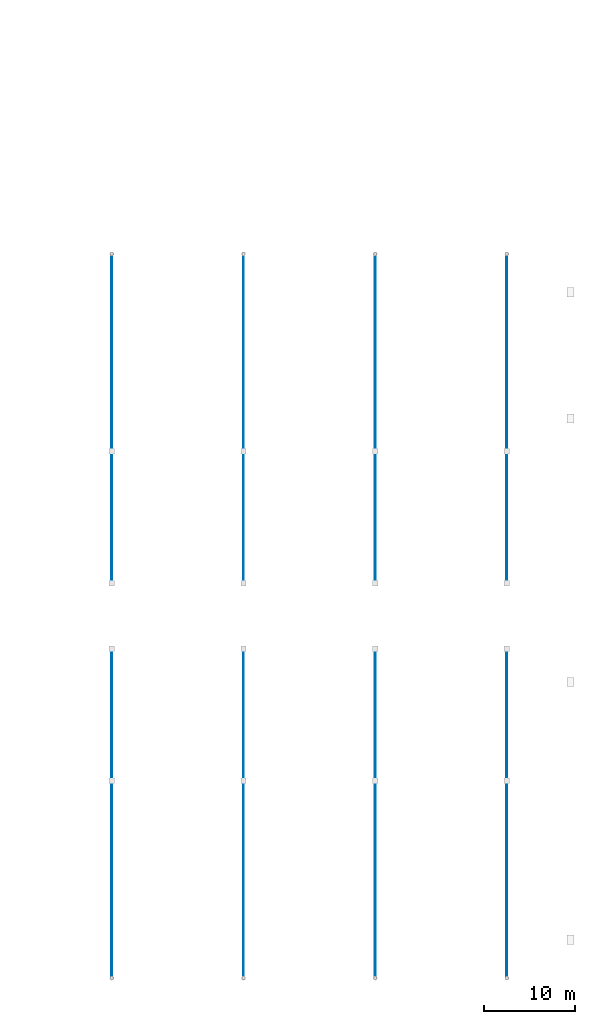
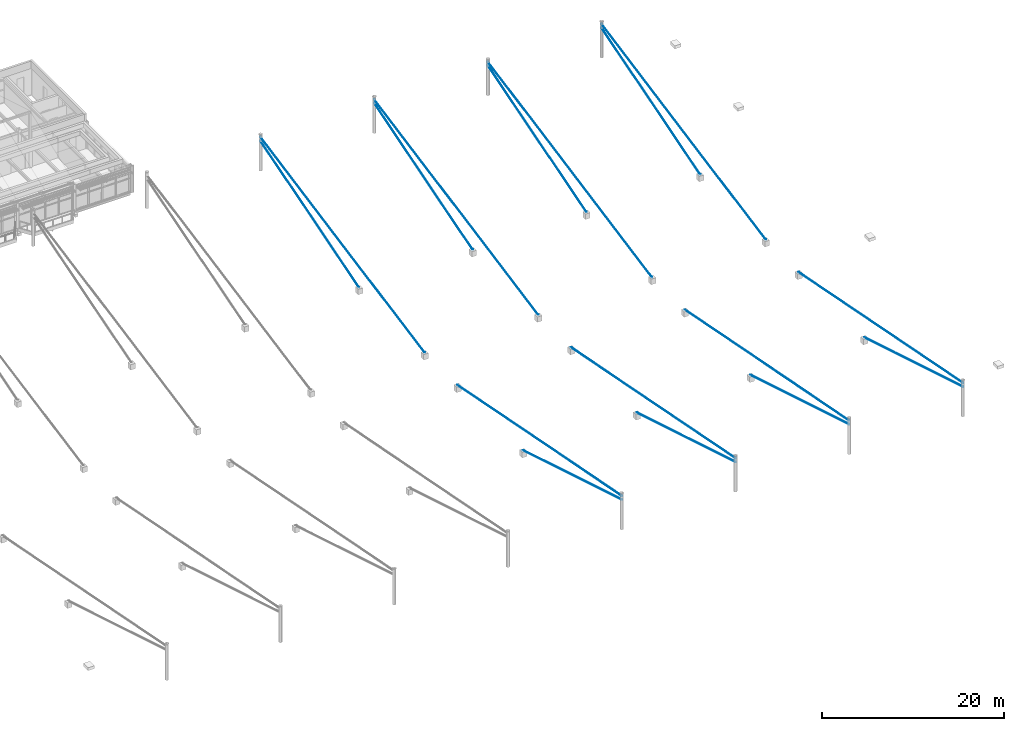
# One storey, part 39 of 68: 16 members.
"""IFC4 building model written with IfcOpenShell, lengths in metres."""

from ifc_helpers import new_model, si_unit, direction, frame, origin, origin_2d, place, context, subcontext, project, spatial, circle, extrude, material, material_profile, profile_set, type_object, element, save


model = new_model("IFC4")

# Units and contexts
model_context = context("Model", 3, precision=1e-05, world=origin(), true_north=direction((0.0, 1.0)))
body_context = subcontext(model_context, "Body", "Model", "MODEL_VIEW")
ifc_project = project(units=[si_unit("LENGTHUNIT", "METRE"), si_unit("AREAUNIT", "SQUARE_METRE"), si_unit("VOLUMEUNIT", "CUBIC_METRE"), si_unit("PLANEANGLEUNIT", "RADIAN"), si_unit("MASSUNIT", "GRAM", prefix="KILO")], contexts=[model_context])

# Site, building, storey
site_placement = place(None, origin())
site = spatial("IfcSite", under=ifc_project, at=site_placement, CompositionType="ELEMENT")
building_placement = place(site_placement, origin())
building = spatial("IfcBuilding", under=site, at=building_placement, Name="Kupolbacken Congress Centre", CompositionType="ELEMENT")
storey_placement = place(building_placement, frame((0.0, 0.0, 25.199951171875)))
storey = spatial("IfcBuildingStorey", under=building, at=storey_placement, Name="L07", CompositionType="ELEMENT", Elevation=25.199951171875)

# Members
ifc_material = material(Name="Steel S355", Category="steel")
ifc_material_profile = material_profile(ifc_material, circle(Radius=0.0400390625, at=origin_2d()), Name="RB 80")
ifc_profile_set = profile_set([ifc_material_profile], Name="Steel S355")
member_type = type_object("IfcMemberType", Name="M23 roof stay round bar 80", PredefinedType="BRACE", material=ifc_profile_set)
member_1_placement = place(storey_placement, frame((151.199951171875, 39.60009765625, 3.900146484375), z_axis=(0.0, 0.957458846603, -0.288569847803), x_axis=(-1.0, 0.0, 0.0)))
element("IfcMember", 1, at=member_1_placement, inside=storey, type_object=member_type, Name="Roof stay M5S.1", PredefinedType="BRACE", context=body_context, shape_type="SweptSolid", body=[
    extrude(circle(Radius=0.0400390625, at=origin_2d()), origin(), (0.0, 0.0, 1.0), 22.5595703125),
])
member_2_placement = place(storey_placement, frame((151.199951171875, 39.60009765625, 4.400146484375), z_axis=(0.0, 0.981564219427, -0.191132632327), x_axis=(-1.0, 0.0, 0.0)))
element("IfcMember", 2, at=member_2_placement, inside=storey, type_object=member_type, Name="Roof stay M5S.2", PredefinedType="BRACE", context=body_context, shape_type="SweptSolid", body=[
    extrude(circle(Radius=0.0400390625, at=origin_2d()), origin(), (0.0, 0.0, 1.0), 36.67626953125),
])
member_3_placement = place(storey_placement, frame((165.60009765625, 39.60009765625, 3.900146484375), z_axis=(0.0, 0.957458846603, -0.288569847803), x_axis=(-1.0, 0.0, 0.0)))
element("IfcMember", 3, at=member_3_placement, inside=storey, type_object=member_type, Name="Roof stay M6S.1", PredefinedType="BRACE", context=body_context, shape_type="SweptSolid", body=[
    extrude(circle(Radius=0.0400390625, at=origin_2d()), origin(), (0.0, 0.0, 1.0), 22.5595703125),
])
member_4_placement = place(storey_placement, frame((165.60009765625, 39.60009765625, 4.400146484375), z_axis=(0.0, 0.981564219427, -0.191132632327), x_axis=(-1.0, 0.0, 0.0)))
element("IfcMember", 4, at=member_4_placement, inside=storey, type_object=member_type, Name="Roof stay M6S.2", PredefinedType="BRACE", context=body_context, shape_type="SweptSolid", body=[
    extrude(circle(Radius=0.0400390625, at=origin_2d()), origin(), (0.0, 0.0, 1.0), 36.67626953125),
])
member_5_placement = place(storey_placement, frame((180.0, 39.60009765625, 3.900146484375), z_axis=(0.0, 0.957458846603, -0.288569847803), x_axis=(-1.0, 0.0, 0.0)))
element("IfcMember", 5, at=member_5_placement, inside=storey, type_object=member_type, Name="Roof stay M7S.1", PredefinedType="BRACE", context=body_context, shape_type="SweptSolid", body=[
    extrude(circle(Radius=0.0400390625, at=origin_2d()), origin(), (0.0, 0.0, 1.0), 22.5595703125),
])
member_6_placement = place(storey_placement, frame((180.0, 39.60009765625, 4.400146484375), z_axis=(0.0, 0.981564219427, -0.191132632327), x_axis=(-1.0, 0.0, 0.0)))
element("IfcMember", 6, at=member_6_placement, inside=storey, type_object=member_type, Name="Roof stay M7S.2", PredefinedType="BRACE", context=body_context, shape_type="SweptSolid", body=[
    extrude(circle(Radius=0.0400390625, at=origin_2d()), origin(), (0.0, 0.0, 1.0), 36.67626953125),
])
member_7_placement = place(storey_placement, frame((194.39990234375, 39.60009765625, 3.900146484375), z_axis=(0.0, 0.957458846603, -0.288569847803), x_axis=(-1.0, 0.0, 0.0)))
element("IfcMember", 7, at=member_7_placement, inside=storey, type_object=member_type, Name="Roof stay M8S.1", PredefinedType="BRACE", context=body_context, shape_type="SweptSolid", body=[
    extrude(circle(Radius=0.0400390625, at=origin_2d()), origin(), (0.0, 0.0, 1.0), 22.5595703125),
])
member_8_placement = place(storey_placement, frame((194.39990234375, 39.60009765625, 4.400146484375), z_axis=(0.0, 0.981564219427, -0.191132632327), x_axis=(-1.0, 0.0, 0.0)))
element("IfcMember", 8, at=member_8_placement, inside=storey, type_object=member_type, Name="Roof stay M8S.2", PredefinedType="BRACE", context=body_context, shape_type="SweptSolid", body=[
    extrude(circle(Radius=0.0400390625, at=origin_2d()), origin(), (0.0, 0.0, 1.0), 36.67626953125),
])
member_9_placement = place(storey_placement, frame((151.199951171875, 118.800048828125, 3.900146484375), z_axis=(0.0, -0.957459747769, -0.288566857769), x_axis=(1.0, 0.0, 0.0)))
element("IfcMember", 9, at=member_9_placement, inside=storey, type_object=member_type, Name="Roof stay M5N.1", PredefinedType="BRACE", context=body_context, shape_type="SweptSolid", body=[
    extrude(circle(Radius=0.0400390625, at=origin_2d()), origin(), (0.0, 0.0, 1.0), 22.559814453125),
])
member_10_placement = place(storey_placement, frame((151.199951171875, 118.800048828125, 4.400146484375), z_axis=(0.0, -0.981564219427, -0.191132632327), x_axis=(1.0, 0.0, 0.0)))
element("IfcMember", 10, at=member_10_placement, inside=storey, type_object=member_type, Name="Roof stay M5N.2", PredefinedType="BRACE", context=body_context, shape_type="SweptSolid", body=[
    extrude(circle(Radius=0.0400390625, at=origin_2d()), origin(), (0.0, 0.0, 1.0), 36.67626953125),
])
member_11_placement = place(storey_placement, frame((165.60009765625, 118.800048828125, 3.900146484375), z_axis=(0.0, -0.957459747769, -0.288566857769), x_axis=(1.0, 0.0, 0.0)))
element("IfcMember", 11, at=member_11_placement, inside=storey, type_object=member_type, Name="Roof stay M6N.1", PredefinedType="BRACE", context=body_context, shape_type="SweptSolid", body=[
    extrude(circle(Radius=0.0400390625, at=origin_2d()), origin(), (0.0, 0.0, 1.0), 22.559814453125),
])
member_12_placement = place(storey_placement, frame((165.60009765625, 118.800048828125, 4.400146484375), z_axis=(0.0, -0.981564219427, -0.191132632327), x_axis=(1.0, 0.0, 0.0)))
element("IfcMember", 12, at=member_12_placement, inside=storey, type_object=member_type, Name="Roof stay M6N.2", PredefinedType="BRACE", context=body_context, shape_type="SweptSolid", body=[
    extrude(circle(Radius=0.0400390625, at=origin_2d()), origin(), (0.0, 0.0, 1.0), 36.67626953125),
])
member_13_placement = place(storey_placement, frame((180.0, 118.800048828125, 3.900146484375), z_axis=(0.0, -0.957459747769, -0.288566857769), x_axis=(1.0, 0.0, 0.0)))
element("IfcMember", 13, at=member_13_placement, inside=storey, type_object=member_type, Name="Roof stay M7N.1", PredefinedType="BRACE", context=body_context, shape_type="SweptSolid", body=[
    extrude(circle(Radius=0.0400390625, at=origin_2d()), origin(), (0.0, 0.0, 1.0), 22.559814453125),
])
member_14_placement = place(storey_placement, frame((180.0, 118.800048828125, 4.400146484375), z_axis=(0.0, -0.981564219427, -0.191132632327), x_axis=(1.0, 0.0, 0.0)))
element("IfcMember", 14, at=member_14_placement, inside=storey, type_object=member_type, Name="Roof stay M7N.2", PredefinedType="BRACE", context=body_context, shape_type="SweptSolid", body=[
    extrude(circle(Radius=0.0400390625, at=origin_2d()), origin(), (0.0, 0.0, 1.0), 36.67626953125),
])
member_15_placement = place(storey_placement, frame((194.39990234375, 118.800048828125, 3.900146484375), z_axis=(0.0, -0.957459747769, -0.288566857769), x_axis=(1.0, 0.0, 0.0)))
element("IfcMember", 15, at=member_15_placement, inside=storey, type_object=member_type, Name="Roof stay M8N.1", PredefinedType="BRACE", context=body_context, shape_type="SweptSolid", body=[
    extrude(circle(Radius=0.0400390625, at=origin_2d()), origin(), (0.0, 0.0, 1.0), 22.559814453125),
])
member_16_placement = place(storey_placement, frame((194.39990234375, 118.800048828125, 4.400146484375), z_axis=(0.0, -0.981564219427, -0.191132632327), x_axis=(1.0, 0.0, 0.0)))
element("IfcMember", 16, at=member_16_placement, inside=storey, type_object=member_type, Name="Roof stay M8N.2", PredefinedType="BRACE", context=body_context, shape_type="SweptSolid", body=[
    extrude(circle(Radius=0.0400390625, at=origin_2d()), origin(), (0.0, 0.0, 1.0), 36.67626953125),
])

save(model, "model.ifc")
